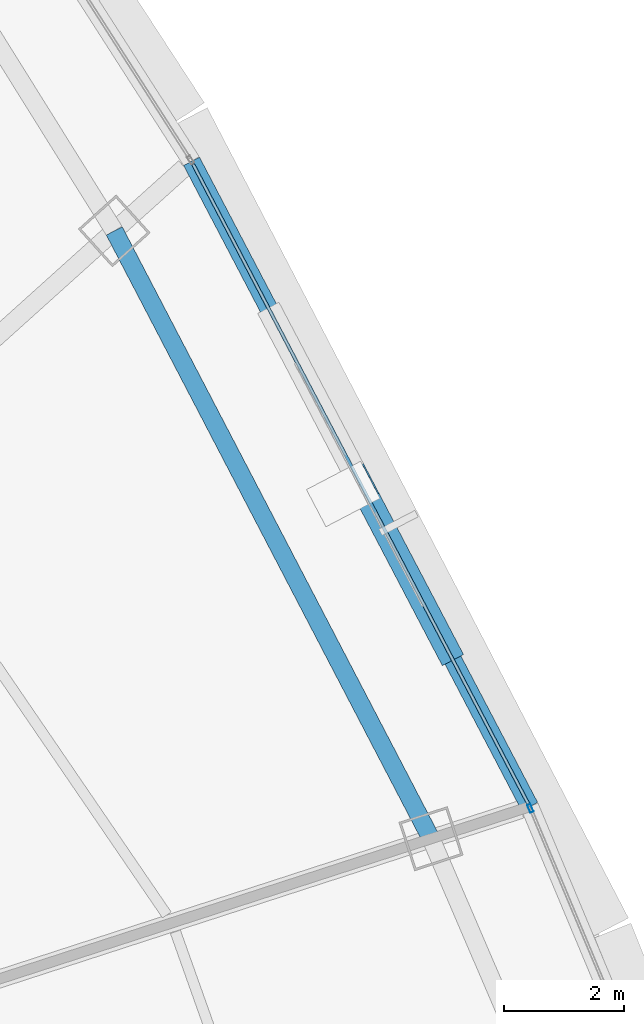
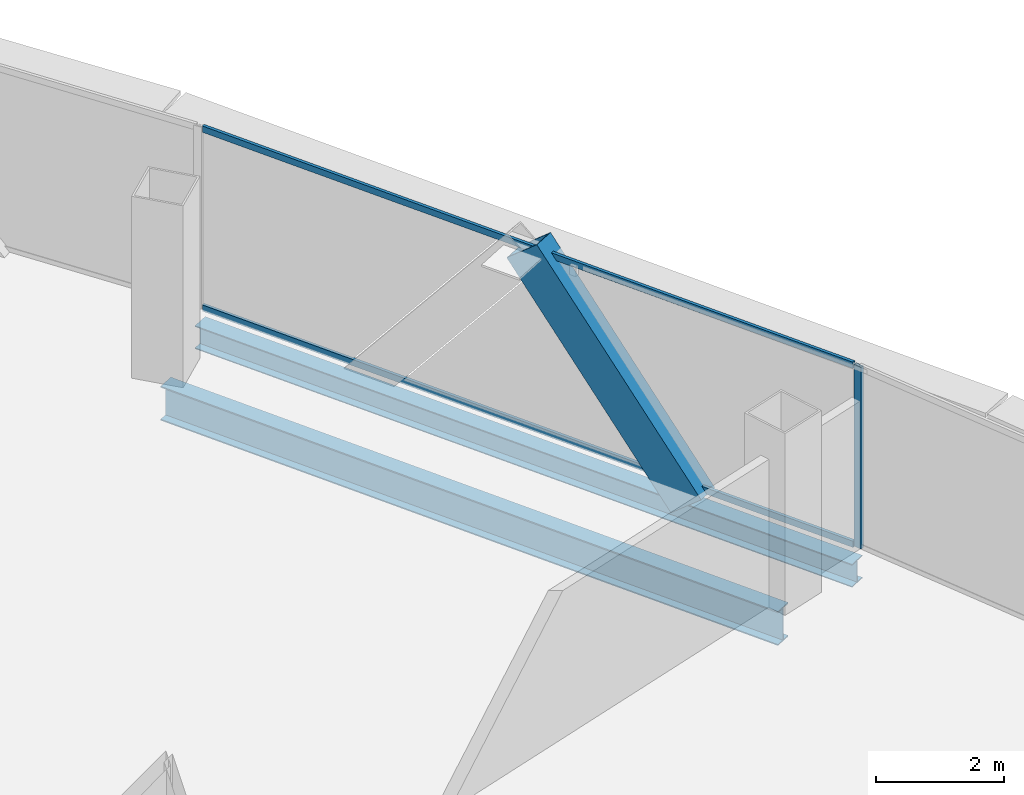
# One storey, part 16 of 37: 4 members, 2 beams, 2 elements without a shape of their own.
"""IFC4 building model written with IfcOpenShell, lengths in metres."""

from ifc_helpers import new_model, si_unit, direction, frame, origin, origin_2d, place, context, subcontext, project, spatial, hollow_rectangle, i_section, extrude, source, transform, mapped, material, layer, layer_set, material_profile, profile_set, type_object, element, aggregate, save


model = new_model("IFC4")

# Units and contexts
model_context = context("Model", 3, precision=1e-05, world=origin(), true_north=direction((0.0, 1.0)))
body_context = subcontext(model_context, "Body", "Model", "MODEL_VIEW")
ifc_project = project(units=[si_unit("LENGTHUNIT", "METRE"), si_unit("AREAUNIT", "SQUARE_METRE"), si_unit("VOLUMEUNIT", "CUBIC_METRE"), si_unit("PLANEANGLEUNIT", "RADIAN"), si_unit("MASSUNIT", "GRAM", prefix="KILO"), si_unit("THERMODYNAMICTEMPERATUREUNIT", "KELVIN"), si_unit("POWERUNIT", "WATT")], contexts=[model_context])

# Site, building, storey
site_placement = place(None, origin())
site = spatial("IfcSite", under=ifc_project, at=site_placement, CompositionType="ELEMENT")
building_placement = place(site_placement, origin())
building = spatial("IfcBuilding", under=site, at=building_placement, Name="Yunzhuo Pagoda Commons", CompositionType="ELEMENT")
storey_placement = place(building_placement, frame((0.0, 0.0, 259.449951171875)))
storey = spatial("IfcBuildingStorey", under=building, at=storey_placement, Name="L65", CompositionType="ELEMENT", Elevation=259.449951171875)

# Beams
ifc_material_1 = material(Name="Structural steel Q355B", Category="steel")
ifc_material_profile_1 = material_profile(ifc_material_1, i_section(OverallWidth=0.300048828125, OverallDepth=0.64990234375, WebThickness=0.012939453125, FlangeThickness=0.02197265625, at=origin_2d()), Name="Structural steel Q355B")
ifc_profile_set_1 = profile_set([ifc_material_profile_1], Name="Structural steel Q355B")
beam_type_1 = type_object("IfcBeamType", Name="B-RG2 Beam HN 650x300x13x22", PredefinedType="BEAM", material=ifc_profile_set_1)
shared_shape_1 = source(origin(), body_context, "Body", "SweptSolid", [
    extrude(i_section(OverallWidth=0.300048828125, OverallDepth=0.64990234375, WebThickness=0.012939453125, FlangeThickness=0.02197265625, at=origin_2d()), origin(), (0.0, 0.0, 1.0), 11.43896484375),
])
beam_1_placement = place(storey_placement, frame((73.898681640625, 42.114990234375, -0.5849609375), z_axis=(-0.462175736513, 0.886788356136, 0.0), x_axis=(-0.886788356136, -0.462175736513, 0.0)))
element("IfcBeam", 1, at=beam_1_placement, inside=storey, type_object=beam_type_1, Name="L65 column-ring beam 6", PredefinedType="BEAM", context=body_context, shape_type="MappedRepresentation", body=[
    mapped(shared_shape_1, transform((0.0, 0.0, 0.0), scale=1.0)),
])
ifc_material_profile_2 = material_profile(ifc_material_1, i_section(OverallWidth=0.300048828125, OverallDepth=0.43994140625, WebThickness=0.010986328125, FlangeThickness=0.01806640625, at=origin_2d()), Name="Structural steel Q355B")
ifc_profile_set_2 = profile_set([ifc_material_profile_2], Name="Structural steel Q355B")
beam_type_2 = type_object("IfcBeamType", Name="B-SP2 Beam HM 440x300x11x18", PredefinedType="BEAM", material=ifc_profile_set_2)
shared_shape_2 = source(origin(), body_context, "Body", "SweptSolid", [
    extrude(i_section(OverallWidth=0.300048828125, OverallDepth=0.43994140625, WebThickness=0.010986328125, FlangeThickness=0.01806640625, at=origin_2d()), origin(), (0.0, 0.0, 1.0), 12.159423828125),
])
beam_2_placement = place(storey_placement, frame((75.546142578125, 42.650390625, -0.47998046875), z_axis=(-0.464166790658, 0.885747814251, 0.0), x_axis=(-0.885747814251, -0.464166790658, 0.0)))
element("IfcBeam", 2, at=beam_2_placement, inside=storey, type_object=beam_type_2, Name="L65 facade edge spandrel beam F2.2", PredefinedType="BEAM", context=body_context, shape_type="MappedRepresentation", body=[
    mapped(shared_shape_2, transform((0.0, 0.0, 0.0), scale=1.0)),
])

# Member
ifc_material_profile_3 = material_profile(ifc_material_1, hollow_rectangle(XDim=0.39990234375, YDim=0.719970703125, WallThickness=0.02392578125, at=origin_2d()), Name="Structural steel Q355B")
ifc_profile_set_3 = profile_set([ifc_material_profile_3], Name="Structural steel Q355B")
member_type_1 = type_object("IfcMemberType", Name="M-DL2 Brace BOX 720x400x24", PredefinedType="BRACE", material=ifc_profile_set_3)
shared_shape_3 = source(origin(), body_context, "Body", "SweptSolid", [
    extrude(hollow_rectangle(XDim=0.39990234375, YDim=0.719970703125, WallThickness=0.02392578125, at=origin_2d()), origin(), (0.0, 0.0, 1.0), 4.811767578125),
])
member_1_placement = place(storey_placement, frame((74.135009765625, 45.343017578125, -0.260009765625), z_axis=(-0.293221495138, 0.55955124561, 0.775192594344), x_axis=(-0.885751346569, -0.464160050038, 0.0)))
element("IfcMember", 3, at=member_1_placement, inside=storey, type_object=member_type_1, Name="L65 facade diamond brace F2.2L", PredefinedType="BRACE", context=body_context, shape_type="MappedRepresentation", body=[
    mapped(shared_shape_3, transform((0.0, 0.0, 0.0), scale=1.0)),
])

# Curtain wall, member
ifc_material_2 = material(Name="Anodized aluminium 6063-T6", Category="aluminium")
ifc_layer = layer(ifc_material_2, 0.139892578125)
ifc_layer_set = layer_set([ifc_layer], Name="Anodized aluminium 6063-T6")
curtain_wall_type = type_object("IfcCurtainWallType", Name="CW-HI High-Zone Ribbon Curtain Wall", PredefinedType="NOTDEFINED", material=ifc_layer_set)
curtain_wall_1_placement = place(storey_placement, origin())
curtain_wall_1 = element("IfcCurtainWall", 4, at=curtain_wall_1_placement, inside=storey, type_object=curtain_wall_type, Name="L65 curtain wall CW-L65-F2B2", PredefinedType="NOTDEFINED")
ifc_material_profile_4 = material_profile(ifc_material_2, hollow_rectangle(XDim=0.06005859375, YDim=0.139892578125, WallThickness=0.00341796875, at=origin_2d()), Name="Anodized aluminium 6063-T6")
ifc_profile_set_4 = profile_set([ifc_material_profile_4], Name="Anodized aluminium 6063-T6")
member_type_2 = type_object("IfcMemberType", Name="CW-HI-M Mullion RHS 140x60x3.5", PredefinedType="MULLION", material=ifc_profile_set_4)
shared_shape_4 = source(origin(), body_context, "Body", "SweptSolid", [
    extrude(hollow_rectangle(XDim=0.06005859375, YDim=0.139892578125, WallThickness=0.00341796875, at=origin_2d()), origin(), (0.0, 0.0, 1.0), 3.469970703125),
])
member_2_placement = place(storey_placement, frame((75.5576171875, 42.62255859375, 0.0), z_axis=(0.0, 0.0, 1.0), x_axis=(-0.922450521644, -0.38611531324, 0.0)))
member_2 = element("IfcMember", 5, at=member_2_placement, type_object=member_type_2, Name="CW mullion 2", PredefinedType="MULLION", context=body_context, shape_type="MappedRepresentation", body=[
    mapped(shared_shape_4, transform((0.0, 0.0, 0.0), scale=1.0)),
])
aggregate(curtain_wall_1, [member_2])

# Curtain wall, members
curtain_wall_2_placement = place(storey_placement, origin())
curtain_wall_2 = element("IfcCurtainWall", 6, at=curtain_wall_2_placement, inside=storey, type_object=curtain_wall_type, Name="L65 curtain wall CW-L65-F2B3", PredefinedType="NOTDEFINED")
ifc_material_profile_5 = material_profile(ifc_material_2, hollow_rectangle(XDim=0.054931640625, YDim=0.1201171875, WallThickness=0.00341796875, at=origin_2d()), Name="Anodized aluminium 6063-T6")
ifc_profile_set_5 = profile_set([ifc_material_profile_5], Name="Anodized aluminium 6063-T6")
member_type_3 = type_object("IfcMemberType", Name="CW-HI-T Transom RHS 120x55x3.5", PredefinedType="USERDEFINED", material=ifc_profile_set_5)
shared_shape_5 = source(origin(), body_context, "Body", "SweptSolid", [
    extrude(hollow_rectangle(XDim=0.054931640625, YDim=0.1201171875, WallThickness=0.00341796875, at=origin_2d()), origin(), (0.0, 0.0, 1.0), 12.039794921875),
])
member_3_placement = place(storey_placement, frame((75.5185546875, 42.703369140625, 0.027587890625), z_axis=(-0.464182018036, 0.885739834337, 0.0), x_axis=(-0.885739834337, -0.464182018036, 0.0)))
member_3 = element("IfcMember", 7, at=member_3_placement, type_object=member_type_3, Name="CW transom 1.1", ObjectType="TRANSOM", PredefinedType="USERDEFINED", context=body_context, shape_type="MappedRepresentation", body=[
    mapped(shared_shape_5, transform((0.0, 0.0, 0.0), scale=1.0)),
])
member_4_placement = place(storey_placement, frame((75.5185546875, 42.703369140625, 3.442626953125), z_axis=(-0.464182018036, 0.885739834337, 0.0), x_axis=(-0.885739834337, -0.464182018036, 0.0)))
member_4 = element("IfcMember", 8, at=member_4_placement, type_object=member_type_3, Name="CW transom 1.2", ObjectType="TRANSOM", PredefinedType="USERDEFINED", context=body_context, shape_type="MappedRepresentation", body=[
    mapped(shared_shape_5, transform((0.0, 0.0, 0.0), scale=1.0)),
])
aggregate(curtain_wall_2, [member_3, member_4])

save(model, "model.ifc")
